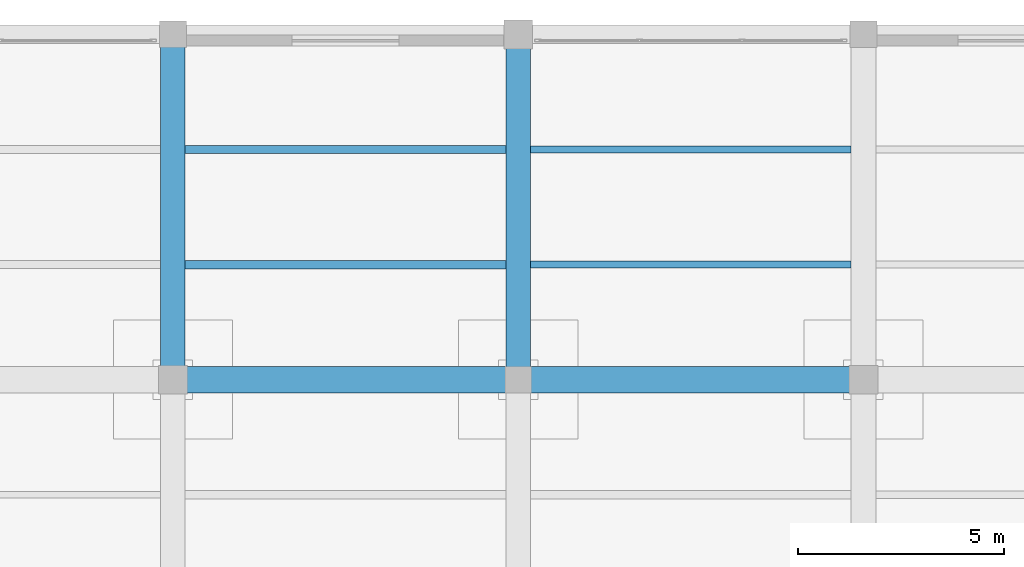
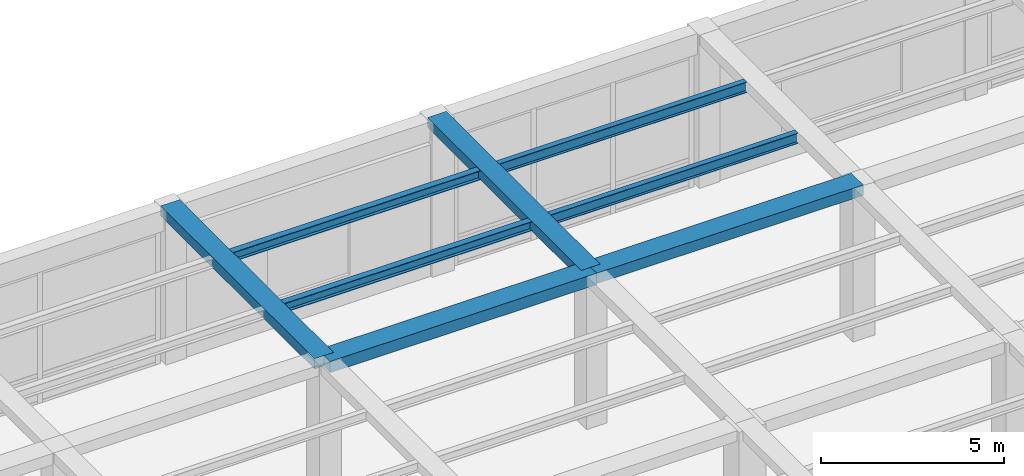
# One storey, part 49 of 95: 8 beams.
"""IFC4 building model written with IfcOpenShell, lengths in metres."""

from ifc_helpers import new_model, si_unit, direction, frame, origin, origin_2d, place, context, subcontext, project, spatial, rectangle, i_section, extrude, material, material_profile, profile_set, type_object, element, save


model = new_model("IFC4")

# Units and contexts
model_context = context("Model", 3, precision=1e-05, world=origin(), true_north=direction((0.0, 1.0)))
body_context = subcontext(model_context, "Body", "Model", "MODEL_VIEW")
ifc_project = project(units=[si_unit("LENGTHUNIT", "METRE"), si_unit("AREAUNIT", "SQUARE_METRE"), si_unit("VOLUMEUNIT", "CUBIC_METRE"), si_unit("PLANEANGLEUNIT", "RADIAN"), si_unit("MASSUNIT", "GRAM", prefix="KILO")], contexts=[model_context])

# Site, building, storey
site_placement = place(None, origin())
site = spatial("IfcSite", under=ifc_project, at=site_placement, CompositionType="ELEMENT")
building_placement = place(site_placement, origin())
building = spatial("IfcBuilding", under=site, at=building_placement, Name="Almacenes y Pasaje Nevantli", CompositionType="ELEMENT")
storey_placement = place(building_placement, frame((0.0, 0.0, 11.39990234375)))
storey = spatial("IfcBuildingStorey", under=building, at=storey_placement, Name="L03", CompositionType="ELEMENT", Elevation=11.39990234375)

# Beams
ifc_material_1 = material(Name="Concrete C35/45", Category="concrete")
ifc_material_profile_1 = material_profile(ifc_material_1, rectangle(XDim=0.60009765625, YDim=0.320068359375, at=origin_2d()), Name="RC-BM-600x320")
ifc_profile_set_1 = profile_set([ifc_material_profile_1], Name="Concrete C35/45")
beam_type_1 = type_object("IfcBeamType", Name="BM-RC-600x320", PredefinedType="BEAM", material=ifc_profile_set_1)
beam_1_placement = place(storey_placement, frame((117.60009765625, 109.199951171875, 4.940185546875), z_axis=(0.0, 1.0, 0.0), x_axis=(-1.0, 0.0, 0.0)))
element("IfcBeam", 1, at=beam_1_placement, inside=storey, type_object=beam_type_1, Name="L03 North-South Reinforced Concrete Beam #2635", PredefinedType="BEAM", context=body_context, shape_type="SweptSolid", body=[
    extrude(rectangle(XDim=0.60009765625, YDim=0.320068359375, at=origin_2d()), origin(), (0.0, 0.0, 1.0), 8.400146484375),
])
ifc_material_2 = material(Name="Concrete C35/45", Category="concrete")
ifc_material_profile_2 = material_profile(ifc_material_2, rectangle(XDim=0.60009765625, YDim=0.340087890625, at=origin_2d()), Name="RC-BM-600x340")
ifc_profile_set_2 = profile_set([ifc_material_profile_2], Name="Concrete C35/45")
beam_type_2 = type_object("IfcBeamType", Name="BM-RC-600x340", PredefinedType="BEAM", material=ifc_profile_set_2)
beam_2_placement = place(storey_placement, frame((109.199951171875, 109.199951171875, 4.93017578125), z_axis=(0.0, 1.0, 0.0), x_axis=(-1.0, 0.0, 0.0)))
element("IfcBeam", 2, at=beam_2_placement, inside=storey, type_object=beam_type_2, Name="L03 North-South Reinforced Concrete Beam #2621", PredefinedType="BEAM", context=body_context, shape_type="SweptSolid", body=[
    extrude(rectangle(XDim=0.60009765625, YDim=0.340087890625, at=origin_2d()), origin(), (0.0, 0.0, 1.0), 8.400146484375),
])
ifc_material_3 = material(Name="Concrete C35/45", Category="concrete")
ifc_material_profile_3 = material_profile(ifc_material_3, rectangle(XDim=0.64990234375, YDim=0.35009765625, at=origin_2d()), Name="RC-BM-650x350")
ifc_profile_set_3 = profile_set([ifc_material_profile_3], Name="Concrete C35/45")
beam_type_3 = type_object("IfcBeamType", Name="BM-RC-650x350", PredefinedType="BEAM", material=ifc_profile_set_3)
beam_3_placement = place(storey_placement, frame((117.60009765625, 109.199951171875, 4.925048828125), z_axis=(1.0, 0.0, 0.0), x_axis=(0.0, 1.0, 0.0)))
element("IfcBeam", 3, at=beam_3_placement, inside=storey, type_object=beam_type_3, Name="L03 East-West Reinforced Concrete Beam #2454", PredefinedType="BEAM", context=body_context, shape_type="SweptSolid", body=[
    extrude(rectangle(XDim=0.64990234375, YDim=0.35009765625, at=origin_2d()), origin(), (0.0, 0.0, 1.0), 8.39990234375),
])
ifc_material_4 = material(Name="Concrete C35/45", Category="concrete")
ifc_material_profile_4 = material_profile(ifc_material_4, rectangle(XDim=0.64990234375, YDim=0.3798828125, at=origin_2d()), Name="RC-BM-650x380")
ifc_profile_set_4 = profile_set([ifc_material_profile_4], Name="Concrete C35/45")
beam_type_4 = type_object("IfcBeamType", Name="BM-RC-650x380", PredefinedType="BEAM", material=ifc_profile_set_4)
beam_4_placement = place(storey_placement, frame((109.199951171875, 109.199951171875, 4.91015625), z_axis=(1.0, 0.0, 0.0), x_axis=(0.0, 1.0, 0.0)))
element("IfcBeam", 4, at=beam_4_placement, inside=storey, type_object=beam_type_4, Name="L03 East-West Reinforced Concrete Beam #2453", PredefinedType="BEAM", context=body_context, shape_type="SweptSolid", body=[
    extrude(rectangle(XDim=0.64990234375, YDim=0.3798828125, at=origin_2d()), origin(), (0.0, 0.0, 1.0), 8.400146484375),
])
ifc_material_5 = material(Name="Steel ASTM A992", Category="steel")
ifc_material_profile_5 = material_profile(ifc_material_5, i_section(OverallWidth=0.205078125, OverallDepth=0.31005859375, WebThickness=0.009521484375, FlangeThickness=0.016357421875, at=origin_2d()), Name="IR 305x74.4")
ifc_profile_set_5 = profile_set([ifc_material_profile_5], Name="Steel ASTM A992")
beam_type_5 = type_object("IfcBeamType", Name="BM-STL-IR-305x74p4", PredefinedType="JOIST", material=ifc_profile_set_5)
for number, where, z_axis, x_axis, name in (
    (5, (109.5, 112.0, 4.93701171875), (1.0, 0.0, 0.0), (0.0, 1.0, 0.0), "L03 Secondary Steel Floor Joist #869"),
    (6, (109.5, 114.800048828125, 4.93701171875), (1.0, 0.0, 0.0), (0.0, 1.0, 0.0), "L03 Secondary Steel Floor Joist #870"),
):
    element("IfcBeam", number, at=place(storey_placement, frame(where, z_axis=z_axis, x_axis=x_axis)), inside=storey, type_object=beam_type_5, Name=name, PredefinedType="JOIST", context=body_context, shape_type="SweptSolid", body=[
        extrude(i_section(OverallWidth=0.205078125, OverallDepth=0.31005859375, WebThickness=0.009521484375, FlangeThickness=0.016357421875, at=origin_2d()), origin(), (0.0, 0.0, 1.0), 7.800048828125),
    ])
ifc_material_6 = material(Name="Steel ASTM A992", Category="steel")
ifc_material_profile_6 = material_profile(ifc_material_6, i_section(OverallWidth=0.173095703125, OverallDepth=0.35302734375, WebThickness=0.0078125, FlangeThickness=0.01318359375, at=origin_2d()), Name="IR 356x56.6")
ifc_profile_set_6 = profile_set([ifc_material_profile_6], Name="Steel ASTM A992")
beam_type_6 = type_object("IfcBeamType", Name="BM-STL-IR-356x56p6", PredefinedType="JOIST", material=ifc_profile_set_6)
for number, where, z_axis, x_axis, name in (
    (7, (117.89990234375, 112.0, 4.91552734375), (1.0, 0.0, 0.0), (0.0, 1.0, 0.0), "L03 Secondary Steel Floor Joist #893"),
    (8, (117.89990234375, 114.800048828125, 4.91552734375), (1.0, 0.0, 0.0), (0.0, 1.0, 0.0), "L03 Secondary Steel Floor Joist #894"),
):
    element("IfcBeam", number, at=place(storey_placement, frame(where, z_axis=z_axis, x_axis=x_axis)), inside=storey, type_object=beam_type_6, Name=name, PredefinedType="JOIST", context=body_context, shape_type="SweptSolid", body=[
        extrude(i_section(OverallWidth=0.173095703125, OverallDepth=0.35302734375, WebThickness=0.0078125, FlangeThickness=0.01318359375, at=origin_2d()), origin(), (0.0, 0.0, 1.0), 7.800048828125),
    ])

save(model, "model.ifc")
